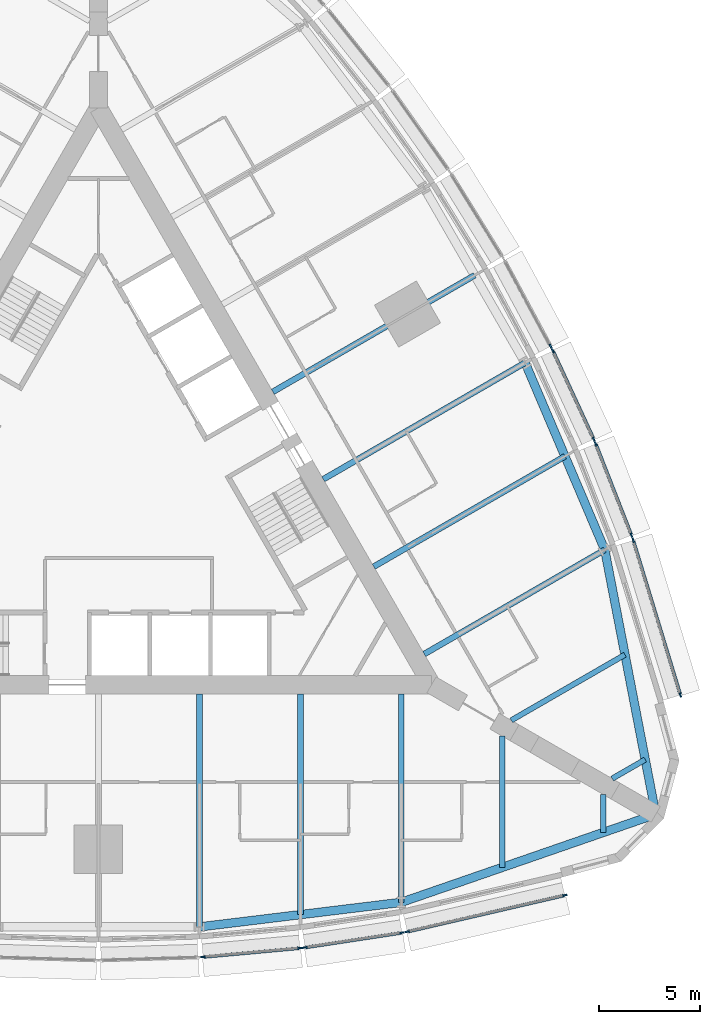
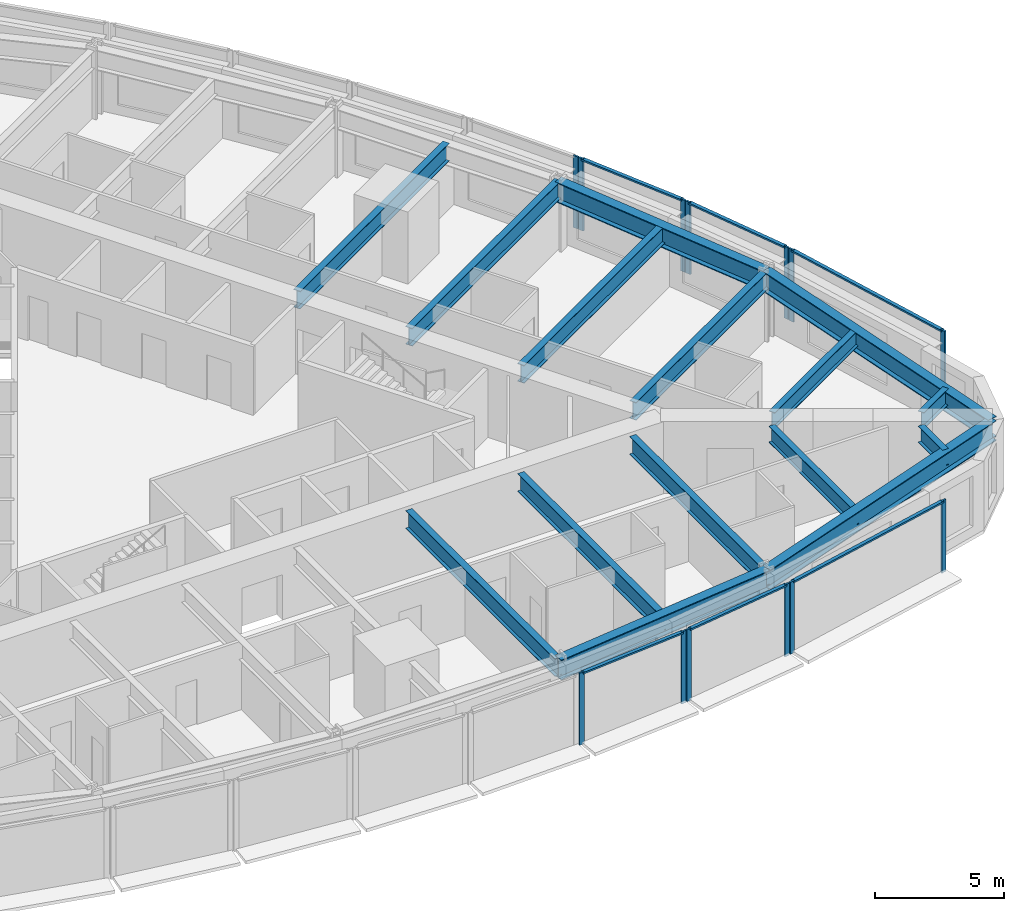
# One storey, part 3 of 14: 19 members, 15 beams, 7 elements without a shape of their own.
"""IFC4 building model written with IfcOpenShell, lengths in metres."""

from ifc_helpers import new_model, si_unit, direction, frame, origin, origin_2d, place, context, subcontext, project, spatial, rectangle, i_section, extrude, material, material_profile, profile_set, type_object, element, aggregate, save


model = new_model("IFC4")

# Units and contexts
model_context = context("Model", 3, precision=1e-05, world=origin(), true_north=direction((0.0, 1.0)))
body_context = subcontext(model_context, "Body", "Model", "MODEL_VIEW")
ifc_project = project(units=[si_unit("LENGTHUNIT", "METRE"), si_unit("AREAUNIT", "SQUARE_METRE"), si_unit("VOLUMEUNIT", "CUBIC_METRE"), si_unit("PLANEANGLEUNIT", "RADIAN"), si_unit("MASSUNIT", "GRAM", prefix="KILO")], contexts=[model_context])

# Site, building, storey
site_placement = place(None, origin())
site = spatial("IfcSite", under=ifc_project, at=site_placement, CompositionType="ELEMENT")
building_placement = place(site_placement, origin())
building = spatial("IfcBuilding", under=site, at=building_placement, Name="Trikona Tower", CompositionType="ELEMENT")
storey_placement = place(building_placement, frame((0.0, 0.0, 69.300048828125)))
storey = spatial("IfcBuildingStorey", under=building, at=storey_placement, Name="L17", CompositionType="ELEMENT", Elevation=69.300048828125)

# Curtain wall, members
ifc_material_1 = material(Name="Aluminium curtain wall system", Category="aluminium")
curtain_wall_type = type_object("IfcCurtainWallType", Name="Curtain wall DS1", PredefinedType="NOTDEFINED", material=ifc_material_1)
curtain_wall_1_placement = place(storey_placement, origin())
curtain_wall_1 = element("IfcCurtainWall", 1, at=curtain_wall_1_placement, inside=storey, type_object=curtain_wall_type, Name="Curtain wall DS1 L17", PredefinedType="NOTDEFINED")
ifc_material_2 = material(Name="Aluminium mullion, pale anodised", Category="aluminium")
ifc_material_profile_1 = material_profile(ifc_material_2, rectangle(XDim=0.080078125, YDim=0.219970703125, at=origin_2d()), Name="MUL-DS1")
ifc_profile_set_1 = profile_set([ifc_material_profile_1], Name="Aluminium mullion, pale anodised")
member_type_1 = type_object("IfcMemberType", Name="Mullion DS1 80x220", PredefinedType="MULLION", material=ifc_profile_set_1)
member_1_placement = place(storey_placement, frame((5.181396484375, -23.007568359375, 0.0), z_axis=(0.0, 0.0, 1.0), x_axis=(-0.090923932737, 0.995857840485, 0.0)))
member_1 = element("IfcMember", 2, at=member_1_placement, type_object=member_type_1, Name="CW-DS1 mullion 1", PredefinedType="MULLION", context=body_context, shape_type="SweptSolid", body=[
    extrude(rectangle(XDim=0.080078125, YDim=0.219970703125, at=origin_2d()), origin(), (0.0, 0.0, 1.0), 3.39990234375),
])
member_2_placement = place(storey_placement, frame((9.982177734375, -22.5693359375, 0.0), z_axis=(0.0, 0.0, 1.0), x_axis=(-0.090923932737, 0.995857840485, 0.0)))
member_2 = element("IfcMember", 3, at=member_2_placement, type_object=member_type_1, Name="CW-DS1 mullion 2", PredefinedType="MULLION", context=body_context, shape_type="SweptSolid", body=[
    extrude(rectangle(XDim=0.080078125, YDim=0.219970703125, at=origin_2d()), origin(), (0.0, 0.0, 1.0), 3.39990234375),
])

curtain_wall_2_placement = place(storey_placement, origin())
curtain_wall_2 = element("IfcCurtainWall", 4, at=curtain_wall_2_placement, inside=storey, type_object=curtain_wall_type, Name="Curtain wall DS1 L17", PredefinedType="NOTDEFINED")
member_3_placement = place(storey_placement, frame((10.234130859375, -22.53857421875, 0.0), z_axis=(0.0, 0.0, 1.0), x_axis=(-0.150437693845, 0.988619492156, 0.0)))
member_3 = element("IfcMember", 5, at=member_3_placement, type_object=member_type_1, Name="CW-DS1 mullion 1", PredefinedType="MULLION", context=body_context, shape_type="SweptSolid", body=[
    extrude(rectangle(XDim=0.080078125, YDim=0.219970703125, at=origin_2d()), origin(), (0.0, 0.0, 1.0), 3.39990234375),
])
member_4_placement = place(storey_placement, frame((15.03662109375, -21.807861328125, 0.0), z_axis=(0.0, 0.0, 1.0), x_axis=(-0.150437693845, 0.988619492156, 0.0)))
member_4 = element("IfcMember", 6, at=member_4_placement, type_object=member_type_1, Name="CW-DS1 mullion 2", PredefinedType="MULLION", context=body_context, shape_type="SweptSolid", body=[
    extrude(rectangle(XDim=0.080078125, YDim=0.219970703125, at=origin_2d()), origin(), (0.0, 0.0, 1.0), 3.39990234375),
])

curtain_wall_3_placement = place(storey_placement, origin())
curtain_wall_3 = element("IfcCurtainWall", 7, at=curtain_wall_3_placement, inside=storey, type_object=curtain_wall_type, Name="Curtain wall DS1 L17", PredefinedType="NOTDEFINED")
member_5_placement = place(storey_placement, frame((15.30029296875, -21.75732421875, 0.0), z_axis=(0.0, 0.0, 1.0), x_axis=(-0.225343288756, 0.974279427173, 0.0)))
member_5 = element("IfcMember", 8, at=member_5_placement, type_object=member_type_1, Name="CW-DS1 mullion 1", PredefinedType="MULLION", context=body_context, shape_type="SweptSolid", body=[
    extrude(rectangle(XDim=0.080078125, YDim=0.219970703125, at=origin_2d()), origin(), (0.0, 0.0, 1.0), 3.39990234375),
])
member_6_placement = place(storey_placement, frame((23.10546875, -19.951904296875, 0.0), z_axis=(0.0, 0.0, 1.0), x_axis=(-0.225343288756, 0.974279427173, 0.0)))
member_6 = element("IfcMember", 9, at=member_6_placement, type_object=member_type_1, Name="CW-DS1 mullion 2", PredefinedType="MULLION", context=body_context, shape_type="SweptSolid", body=[
    extrude(rectangle(XDim=0.080078125, YDim=0.219970703125, at=origin_2d()), origin(), (0.0, 0.0, 1.0), 3.39990234375),
])

curtain_wall_4_placement = place(storey_placement, origin())
curtain_wall_4 = element("IfcCurtainWall", 10, at=curtain_wall_4_placement, inside=storey, type_object=curtain_wall_type, Name="Curtain wall DS1 L17", PredefinedType="NOTDEFINED")
member_7_placement = place(storey_placement, frame((28.83154296875, -10.033935546875, 0.0), z_axis=(0.0, 0.0, 1.0), x_axis=(-0.956423115383, -0.291984287868, 0.0)))
member_7 = element("IfcMember", 11, at=member_7_placement, type_object=member_type_1, Name="CW-DS1 mullion 1", PredefinedType="MULLION", context=body_context, shape_type="SweptSolid", body=[
    extrude(rectangle(XDim=0.080078125, YDim=0.219970703125, at=origin_2d()), origin(), (0.0, 0.0, 1.0), 3.39990234375),
])
member_8_placement = place(storey_placement, frame((26.492431640625, -2.371826171875, 0.0), z_axis=(0.0, 0.0, 1.0), x_axis=(-0.956423115383, -0.291984287868, 0.0)))
member_8 = element("IfcMember", 12, at=member_8_placement, type_object=member_type_1, Name="CW-DS1 mullion 2", PredefinedType="MULLION", context=body_context, shape_type="SweptSolid", body=[
    extrude(rectangle(XDim=0.080078125, YDim=0.219970703125, at=origin_2d()), origin(), (0.0, 0.0, 1.0), 3.39990234375),
])

curtain_wall_5_placement = place(storey_placement, origin())
curtain_wall_5 = element("IfcCurtainWall", 13, at=curtain_wall_5_placement, inside=storey, type_object=curtain_wall_type, Name="Curtain wall DS1 L17", PredefinedType="NOTDEFINED")
member_9_placement = place(storey_placement, frame((26.404296875, -2.1181640625, 0.0), z_axis=(0.0, 0.0, 1.0), x_axis=(-0.931395989443, -0.36400756977, 0.0)))
member_9 = element("IfcMember", 14, at=member_9_placement, type_object=member_type_1, Name="CW-DS1 mullion 1", PredefinedType="MULLION", context=body_context, shape_type="SweptSolid", body=[
    extrude(rectangle(XDim=0.080078125, YDim=0.219970703125, at=origin_2d()), origin(), (0.0, 0.0, 1.0), 3.39990234375),
])
member_10_placement = place(storey_placement, frame((24.63623046875, 2.40625, 0.0), z_axis=(0.0, 0.0, 1.0), x_axis=(-0.931395989443, -0.36400756977, 0.0)))
member_10 = element("IfcMember", 15, at=member_10_placement, type_object=member_type_1, Name="CW-DS1 mullion 2", PredefinedType="MULLION", context=body_context, shape_type="SweptSolid", body=[
    extrude(rectangle(XDim=0.080078125, YDim=0.219970703125, at=origin_2d()), origin(), (0.0, 0.0, 1.0), 3.39990234375),
])

curtain_wall_6_placement = place(storey_placement, origin())
curtain_wall_6 = element("IfcCurtainWall", 16, at=curtain_wall_6_placement, inside=storey, type_object=curtain_wall_type, Name="Curtain wall DS1 L17", PredefinedType="NOTDEFINED")
member_11_placement = place(storey_placement, frame((24.53662109375, 2.6396484375, 0.0), z_axis=(0.0, 0.0, 1.0), x_axis=(-0.907898459992, -0.419190155352, 0.0)))
member_11 = element("IfcMember", 17, at=member_11_placement, type_object=member_type_1, Name="CW-DS1 mullion 1", PredefinedType="MULLION", context=body_context, shape_type="SweptSolid", body=[
    extrude(rectangle(XDim=0.080078125, YDim=0.219970703125, at=origin_2d()), origin(), (0.0, 0.0, 1.0), 3.39990234375),
])
member_12_placement = place(storey_placement, frame((22.515869140625, 7.0166015625, 0.0), z_axis=(0.0, 0.0, 1.0), x_axis=(-0.907898459992, -0.419190155352, 0.0)))
member_12 = element("IfcMember", 18, at=member_12_placement, type_object=member_type_1, Name="CW-DS1 mullion 2", PredefinedType="MULLION", context=body_context, shape_type="SweptSolid", body=[
    extrude(rectangle(XDim=0.080078125, YDim=0.219970703125, at=origin_2d()), origin(), (0.0, 0.0, 1.0), 3.39990234375),
])

# Curtain wall, member
curtain_wall_7_placement = place(storey_placement, origin())
curtain_wall_7 = element("IfcCurtainWall", 19, at=curtain_wall_7_placement, inside=storey, type_object=curtain_wall_type, Name="Curtain wall DS1 L17", PredefinedType="NOTDEFINED")
member_13_placement = place(storey_placement, frame((22.402099609375, 7.244140625, 0.0), z_axis=(0.0, 0.0, 1.0), x_axis=(-0.880843080975, -0.473408350896, 0.0)))
member_13 = element("IfcMember", 20, at=member_13_placement, type_object=member_type_1, Name="CW-DS1 mullion 1", PredefinedType="MULLION", context=body_context, shape_type="SweptSolid", body=[
    extrude(rectangle(XDim=0.080078125, YDim=0.219970703125, at=origin_2d()), origin(), (0.0, 0.0, 1.0), 3.39990234375),
])
aggregate(curtain_wall_7, [member_13])

# Beams
ifc_material_3 = material(Name="Steel ASTM A992 Grade 50", Category="steel")
ifc_material_profile_2 = material_profile(ifc_material_3, i_section(OverallWidth=0.2666015625, OverallDepth=0.76953125, WebThickness=0.015625, FlangeThickness=0.025390625, at=origin_2d()), Name="W30X132")
ifc_profile_set_2 = profile_set([ifc_material_profile_2], Name="Steel ASTM A992 Grade 50")
beam_type_1 = type_object("IfcBeamType", Name="Steel beam W30x132 (wedge)", PredefinedType="BEAM", material=ifc_profile_set_2)
beam_1_placement = place(storey_placement, frame((20.0, -12.066650390625, 2.85009765625), z_axis=(0.0, -1.0, 0.0), x_axis=(1.0, 0.0, 0.0)))
element("IfcBeam", 21, at=beam_1_placement, inside=storey, type_object=beam_type_1, Name="Floor beam L18 F1 u20", PredefinedType="BEAM", context=body_context, shape_type="SweptSolid", body=[
    extrude(i_section(OverallWidth=0.2666015625, OverallDepth=0.76953125, WebThickness=0.015625, FlangeThickness=0.025390625, at=origin_2d()), origin(), (0.0, 0.0, 1.0), 6.5068359375),
])
for number, where, z_axis, x_axis, name in (
    (22, (25.0, -14.953369140625, 2.85009765625), (0.0, -1.0, 0.0), (1.0, 0.0, 0.0), "Floor beam L18 F1 u25"),
    (23, (25.449951171875, -14.173828125, 2.85009765625), (0.866065156741, 0.499931139538, 0.0), (-0.499931139538, 0.866065156741, 0.0), "Floor beam L18 F2 u-25"),
):
    element("IfcBeam", number, at=place(storey_placement, frame(where, z_axis=z_axis, x_axis=x_axis)), inside=storey, type_object=beam_type_1, Name=name, PredefinedType="BEAM", context=body_context, shape_type="SweptSolid", body=[
        extrude(i_section(OverallWidth=0.2666015625, OverallDepth=0.76953125, WebThickness=0.015625, FlangeThickness=0.025390625, at=origin_2d()), origin(), (0.0, 0.0, 1.0), 1.890380859375),
    ])
beam_2_placement = place(storey_placement, frame((20.449951171875, -11.287109375, 2.85009765625), z_axis=(0.866022504693, 0.50000502134, 0.0), x_axis=(-0.50000502134, 0.866022504693, 0.0)))
element("IfcBeam", 24, at=beam_2_placement, inside=storey, type_object=beam_type_1, Name="Floor beam L18 F2 u-20", PredefinedType="BEAM", context=body_context, shape_type="SweptSolid", body=[
    extrude(i_section(OverallWidth=0.2666015625, OverallDepth=0.76953125, WebThickness=0.015625, FlangeThickness=0.025390625, at=origin_2d()), origin(), (0.0, 0.0, 1.0), 6.5068359375),
])
ifc_material_4 = material(Name="Steel ASTM A992 Grade 50", Category="steel")
ifc_material_profile_3 = material_profile(ifc_material_4, i_section(OverallWidth=0.2919921875, OverallDepth=0.845703125, WebThickness=0.015380859375, FlangeThickness=0.0244140625, at=origin_2d()), Name="W33X141")
ifc_profile_set_3 = profile_set([ifc_material_profile_3], Name="Steel ASTM A992 Grade 50")
beam_type_2 = type_object("IfcBeamType", Name="Steel beam W33x141 (radial typ)", PredefinedType="BEAM", material=ifc_profile_set_3)
beam_3_placement = place(storey_placement, frame((5.0, -9.976318359375, 2.81201171875), z_axis=(0.0, -1.0, 0.0), x_axis=(1.0, 0.0, 0.0)))
element("IfcBeam", 25, at=beam_3_placement, inside=storey, type_object=beam_type_2, Name="Floor beam L18 F1 u5", PredefinedType="BEAM", context=body_context, shape_type="SweptSolid", body=[
    extrude(i_section(OverallWidth=0.2919921875, OverallDepth=0.845703125, WebThickness=0.015380859375, FlangeThickness=0.0244140625, at=origin_2d()), origin(), (0.0, 0.0, 1.0), 11.544189453125),
])
beam_4_placement = place(storey_placement, frame((10.0, -9.976318359375, 2.81201171875), z_axis=(0.0, -1.0, 0.0), x_axis=(1.0, 0.0, 0.0)))
element("IfcBeam", 26, at=beam_4_placement, inside=storey, type_object=beam_type_2, Name="Floor beam L18 F1 u10", PredefinedType="BEAM", context=body_context, shape_type="SweptSolid", body=[
    extrude(i_section(OverallWidth=0.2919921875, OverallDepth=0.845703125, WebThickness=0.015380859375, FlangeThickness=0.0244140625, at=origin_2d()), origin(), (0.0, 0.0, 1.0), 10.935302734375),
])
beam_5_placement = place(storey_placement, frame((15.0, -9.976318359375, 2.81201171875), z_axis=(0.0, -1.0, 0.0), x_axis=(1.0, 0.0, 0.0)))
element("IfcBeam", 27, at=beam_5_placement, inside=storey, type_object=beam_type_2, Name="Floor beam L18 F1 u15", PredefinedType="BEAM", context=body_context, shape_type="SweptSolid", body=[
    extrude(i_section(OverallWidth=0.2919921875, OverallDepth=0.845703125, WebThickness=0.015380859375, FlangeThickness=0.0244140625, at=origin_2d()), origin(), (0.0, 0.0, 1.0), 10.32666015625),
])
beam_6_placement = place(storey_placement, frame((16.1396484375, -8.002197265625, 2.81201171875), z_axis=(0.866030471684, 0.499991222037, 0.0), x_axis=(-0.499991222037, 0.866030471684, 0.0)))
element("IfcBeam", 28, at=beam_6_placement, inside=storey, type_object=beam_type_2, Name="Floor beam L18 F2 u-15", PredefinedType="BEAM", context=body_context, shape_type="SweptSolid", body=[
    extrude(i_section(OverallWidth=0.2919921875, OverallDepth=0.845703125, WebThickness=0.015380859375, FlangeThickness=0.0244140625, at=origin_2d()), origin(), (0.0, 0.0, 1.0), 10.326904296875),
])
beam_7_placement = place(storey_placement, frame((13.6396484375, -3.672119140625, 2.81201171875), z_axis=(0.866025348605, 0.500000095573, 0.0), x_axis=(-0.500000095573, 0.866025348605, 0.0)))
element("IfcBeam", 29, at=beam_7_placement, inside=storey, type_object=beam_type_2, Name="Floor beam L18 F2 u-10", PredefinedType="BEAM", context=body_context, shape_type="SweptSolid", body=[
    extrude(i_section(OverallWidth=0.2919921875, OverallDepth=0.845703125, WebThickness=0.015380859375, FlangeThickness=0.0244140625, at=origin_2d()), origin(), (0.0, 0.0, 1.0), 10.935546875),
])
for number, where, z_axis, x_axis, name in (
    (30, (11.1396484375, 0.657958984375, 2.81201171875), (0.866020765707, 0.500008033299, 0.0), (-0.500008033299, 0.866020765707, 0.0), "Floor beam L18 F2 u-5"),
    (31, (8.6396484375, 4.988037109375, 2.81201171875), (0.866020765707, 0.500008033299, 0.0), (-0.500008033299, 0.866020765707, 0.0), "Floor beam L18 F2 u0"),
):
    element("IfcBeam", number, at=place(storey_placement, frame(where, z_axis=z_axis, x_axis=x_axis)), inside=storey, type_object=beam_type_2, Name=name, PredefinedType="BEAM", context=body_context, shape_type="SweptSolid", body=[
        extrude(i_section(OverallWidth=0.2919921875, OverallDepth=0.845703125, WebThickness=0.015380859375, FlangeThickness=0.0244140625, at=origin_2d()), origin(), (0.0, 0.0, 1.0), 11.544189453125),
    ])
ifc_material_5 = material(Name="Steel ASTM A992 Grade 50", Category="steel")
ifc_material_profile_4 = material_profile(ifc_material_5, i_section(OverallWidth=0.424072265625, OverallDepth=0.947509765625, WebThickness=0.02392578125, FlangeThickness=0.042724609375, at=origin_2d()), Name="W36X302")
ifc_profile_set_4 = profile_set([ifc_material_profile_4], Name="Steel ASTM A992 Grade 50")
beam_type_3 = type_object("IfcBeamType", Name="Steel beam W36x302 (spandrel)", PredefinedType="SPANDREL", material=ifc_profile_set_4)
beam_8_placement = place(storey_placement, frame((5.0, -21.5205078125, 2.76123046875), z_axis=(0.99266951126, 0.120860421207, 0.0), x_axis=(-0.120860421207, 0.99266951126, 0.0)))
element("IfcBeam", 32, at=beam_8_placement, inside=storey, type_object=beam_type_3, Name="Spandrel beam L18 F1-4", PredefinedType="SPANDREL", context=body_context, shape_type="SweptSolid", body=[
    extrude(i_section(OverallWidth=0.424072265625, OverallDepth=0.947509765625, WebThickness=0.02392578125, FlangeThickness=0.042724609375, at=origin_2d()), origin(), (0.0, 0.0, 1.0), 10.07373046875),
])
for number, where, z_axis, x_axis, name in (
    (33, (15.0, -20.302978515625, 2.76123046875), (0.945056965739, 0.326905692071, 0.0), (-0.326905692071, 0.945056965739, 0.0), "Spandrel beam L18 F1-5"),
    (34, (27.6103515625, -15.94091796875, 2.76123046875), (-0.189405184036, 0.981899015307, 0.0), (-0.981899015307, -0.189405184036, 0.0), "Spandrel beam L18 F2-1"),
):
    element("IfcBeam", number, at=place(storey_placement, frame(where, z_axis=z_axis, x_axis=x_axis)), inside=storey, type_object=beam_type_3, Name=name, PredefinedType="SPANDREL", context=body_context, shape_type="SweptSolid", body=[
        extrude(i_section(OverallWidth=0.424072265625, OverallDepth=0.947509765625, WebThickness=0.02392578125, FlangeThickness=0.042724609375, at=origin_2d()), origin(), (0.0, 0.0, 1.0), 13.343505859375),
    ])
beam_9_placement = place(storey_placement, frame((25.0830078125, -2.8388671875, 2.76123046875), z_axis=(-0.391683514847, 0.920100007715, 0.0), x_axis=(-0.920100007715, -0.391683514847, 0.0)))
element("IfcBeam", 35, at=beam_9_placement, inside=storey, type_object=beam_type_3, Name="Spandrel beam L18 F2-2", PredefinedType="SPANDREL", context=body_context, shape_type="SweptSolid", body=[
    extrude(i_section(OverallWidth=0.424072265625, OverallDepth=0.947509765625, WebThickness=0.02392578125, FlangeThickness=0.042724609375, at=origin_2d()), origin(), (0.0, 0.0, 1.0), 10.073974609375),
])

# Member
ifc_material_6 = material(Name="Aluminium transom, pale anodised", Category="aluminium")
ifc_material_profile_5 = material_profile(ifc_material_6, rectangle(XDim=0.159912109375, YDim=0.080078125, at=origin_2d()), Name="TRN-DS1")
ifc_profile_set_5 = profile_set([ifc_material_profile_5], Name="Aluminium transom, pale anodised")
member_type_2 = type_object("IfcMemberType", Name="Transom DS1 80x160", PredefinedType="USERDEFINED", material=ifc_profile_set_5)
member_14_placement = place(storey_placement, frame((5.22119140625, -23.00390625, 3.35986328125), z_axis=(0.995855977008, 0.090944340438, 0.0), x_axis=(-0.090944340438, 0.995855977008, 0.0)))
member_14 = element("IfcMember", 36, at=member_14_placement, type_object=member_type_2, Name="CW-DS1 transom 1.1", ObjectType="TRANSOM", PredefinedType="USERDEFINED", context=body_context, shape_type="SweptSolid", body=[
    extrude(rectangle(XDim=0.159912109375, YDim=0.080078125, at=origin_2d()), origin(), (0.0, 0.0, 1.0), 4.74072265625),
])

aggregate(curtain_wall_1, [member_1, member_2, member_14])

member_15_placement = place(storey_placement, frame((10.273681640625, -22.532470703125, 3.35986328125), z_axis=(0.988619663412, 0.150436568413, 0.0), x_axis=(-0.150436568413, 0.988619663412, 0.0)))
member_15 = element("IfcMember", 37, at=member_15_placement, type_object=member_type_2, Name="CW-DS1 transom 1.1", ObjectType="TRANSOM", PredefinedType="USERDEFINED", context=body_context, shape_type="SweptSolid", body=[
    extrude(rectangle(XDim=0.159912109375, YDim=0.080078125, at=origin_2d()), origin(), (0.0, 0.0, 1.0), 4.77783203125),
])

aggregate(curtain_wall_2, [member_3, member_4, member_15])

member_16_placement = place(storey_placement, frame((15.33935546875, -21.748291015625, 3.35986328125), z_axis=(0.974275371842, 0.225360821398, 0.0), x_axis=(-0.225360821398, 0.974275371842, 0.0)))
member_16 = element("IfcMember", 38, at=member_16_placement, type_object=member_type_2, Name="CW-DS1 transom 1.1", ObjectType="TRANSOM", PredefinedType="USERDEFINED", context=body_context, shape_type="SweptSolid", body=[
    extrude(rectangle(XDim=0.159912109375, YDim=0.080078125, at=origin_2d()), origin(), (0.0, 0.0, 1.0), 7.93115234375),
])

aggregate(curtain_wall_3, [member_5, member_6, member_16])

member_17_placement = place(storey_placement, frame((28.81982421875, -9.99560546875, 3.35986328125), z_axis=(-0.291967490203, 0.956428243343, 0.0), x_axis=(-0.956428243343, -0.291967490203, 0.0)))
member_17 = element("IfcMember", 39, at=member_17_placement, type_object=member_type_2, Name="CW-DS1 transom 1.1", ObjectType="TRANSOM", PredefinedType="USERDEFINED", context=body_context, shape_type="SweptSolid", body=[
    extrude(rectangle(XDim=0.159912109375, YDim=0.080078125, at=origin_2d()), origin(), (0.0, 0.0, 1.0), 7.93115234375),
])

aggregate(curtain_wall_4, [member_7, member_8, member_17])

member_18_placement = place(storey_placement, frame((26.389892578125, -2.080810546875, 3.35986328125), z_axis=(-0.364048647668, 0.931379934362, 0.0), x_axis=(-0.931379934362, -0.364048647668, 0.0)))
member_18 = element("IfcMember", 40, at=member_18_placement, type_object=member_type_2, Name="CW-DS1 transom 1.1", ObjectType="TRANSOM", PredefinedType="USERDEFINED", context=body_context, shape_type="SweptSolid", body=[
    extrude(rectangle(XDim=0.159912109375, YDim=0.080078125, at=origin_2d()), origin(), (0.0, 0.0, 1.0), 4.777587890625),
])

aggregate(curtain_wall_5, [member_9, member_10, member_18])

member_19_placement = place(storey_placement, frame((24.52001953125, 2.676025390625, 3.35986328125), z_axis=(-0.419188800665, 0.90789908547, 0.0), x_axis=(-0.90789908547, -0.419188800665, 0.0)))
member_19 = element("IfcMember", 41, at=member_19_placement, type_object=member_type_2, Name="CW-DS1 transom 1.1", ObjectType="TRANSOM", PredefinedType="USERDEFINED", context=body_context, shape_type="SweptSolid", body=[
    extrude(rectangle(XDim=0.159912109375, YDim=0.080078125, at=origin_2d()), origin(), (0.0, 0.0, 1.0), 4.74072265625),
])

aggregate(curtain_wall_6, [member_11, member_12, member_19])

save(model, "model.ifc")
